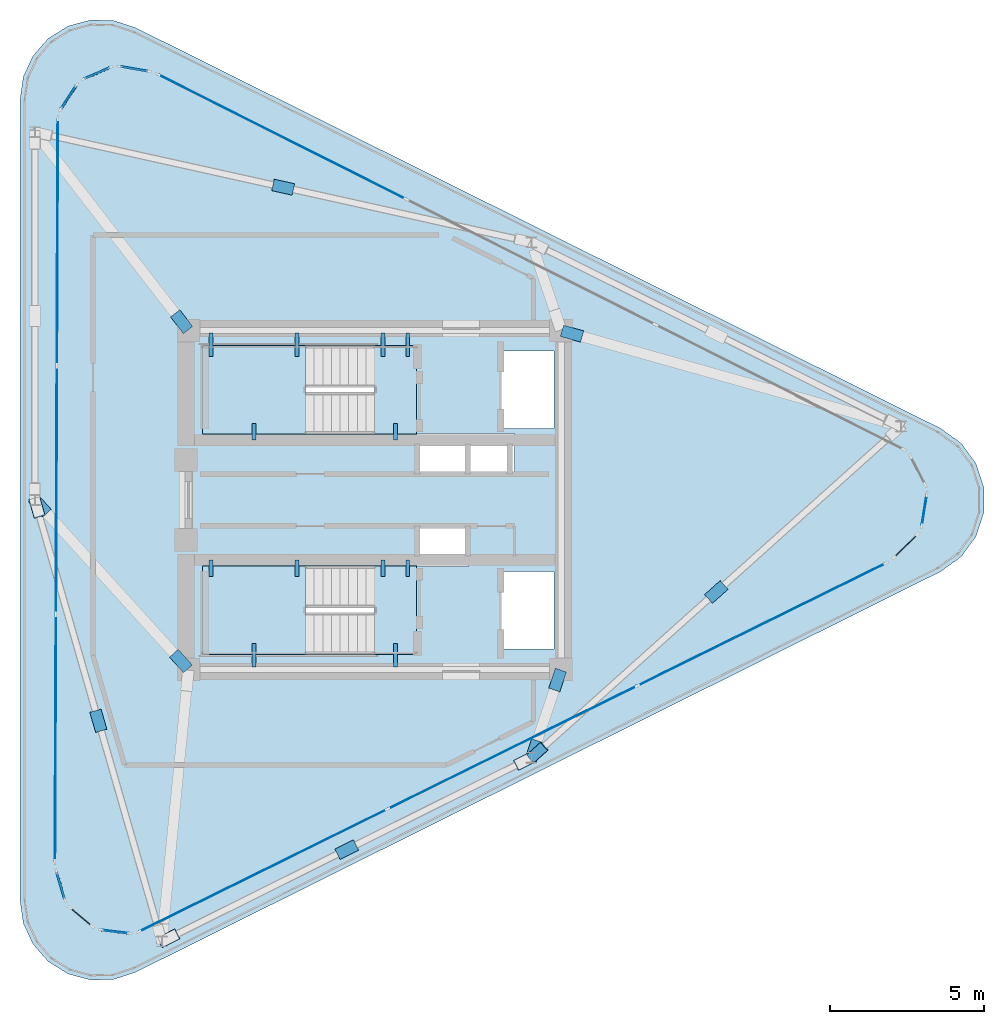
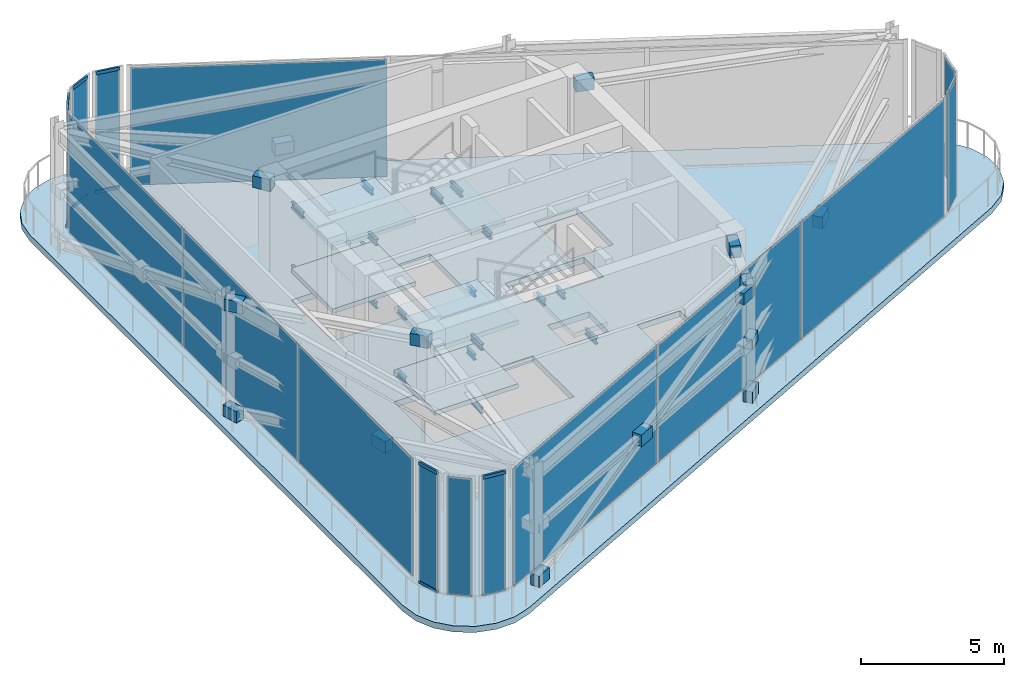
# One storey, part 3 of 9: 30 plates, 18 beams, 9 members, 7 slabs, 13 elements without a shape of their own.
"""IFC4 building model written with IfcOpenShell, lengths in metres."""

from ifc_helpers import new_model, si_unit, direction, frame, origin, origin_2d, place, context, subcontext, project, spatial, polyline, rectangle, i_section, outline, extrude, source, transform, mapped, material, layer, layer_set, material_profile, profile_set, type_object, element, aggregate, save


model = new_model("IFC4")

# Units and contexts
model_context = context("Model", 3, precision=1e-05, world=origin(), true_north=direction((0.0, 1.0)))
body_context = subcontext(model_context, "Body", "Model", "MODEL_VIEW")
ifc_project = project(units=[si_unit("LENGTHUNIT", "METRE"), si_unit("AREAUNIT", "SQUARE_METRE"), si_unit("VOLUMEUNIT", "CUBIC_METRE"), si_unit("PLANEANGLEUNIT", "RADIAN"), si_unit("MASSUNIT", "GRAM", prefix="KILO")], contexts=[model_context])

# Site, building, storey
site_placement = place(None, origin())
site = spatial("IfcSite", under=ifc_project, at=site_placement, CompositionType="ELEMENT")
building_placement = place(site_placement, origin())
building = spatial("IfcBuilding", under=site, at=building_placement, Name="Yunling Apex Tower", CompositionType="ELEMENT")
storey_placement = place(building_placement, frame((0.0, 0.0, 317.449951171875)))
storey = spatial("IfcBuildingStorey", under=building, at=storey_placement, Name="C01", CompositionType="ELEMENT", Elevation=317.449951171875)

# Beams
ifc_material_1 = material(Name="Steel Q355B", Category="steel")
ifc_material_profile_1 = material_profile(ifc_material_1, i_section(OverallWidth=0.125, OverallDepth=0.25, WebThickness=0.006103515625, FlangeThickness=0.009033203125, FilletRadius=0.011962890625, at=origin_2d()))
ifc_profile_set_1 = profile_set([ifc_material_profile_1], Name="Steel Q355B")
beam_type = type_object("IfcBeamType", Name="BL-LNT-1", PredefinedType="LINTEL", material=ifc_profile_set_1)
shared_shape_1 = source(origin(), body_context, "Body", "SweptSolid", [
    extrude(i_section(OverallWidth=0.125, OverallDepth=0.25, WebThickness=0.006103515625, FlangeThickness=0.009033203125, FilletRadius=0.011962890625, at=origin_2d()), origin(), (0.0, 0.0, 1.0), 0.760009765625),
])
for number, where, z_axis, x_axis, name in (
    (1, (-5.320068359375, 5.419921875, 1.030029296875), (0.0, -1.0, 0.0), (1.0, 0.0, 0.0), "C01 ST-1 Landing Bearing Corbel 1-1"),
    (2, (-2.530029296875, 5.419921875, 1.030029296875), (0.0, -1.0, 0.0), (1.0, 0.0, 0.0), "C01 ST-1 Landing Bearing Corbel 1-2"),
    (3, (0.27001953125, 5.419921875, 2.380126953125), (0.0, -1.0, 0.0), (1.0, 0.0, 0.0), "C01 ST-1 Landing Bearing Corbel 2-1"),
    (4, (1.070068359375, 5.419921875, 2.380126953125), (0.0, -1.0, 0.0), (1.0, 0.0, 0.0), "C01 ST-1 Landing Bearing Corbel 2-2"),
    (5, (-5.320068359375, 5.419921875, 3.72998046875), (0.0, -1.0, 0.0), (1.0, 0.0, 0.0), "C01 ST-1 Landing Bearing Corbel 3-1"),
    (6, (-2.530029296875, 5.419921875, 3.72998046875), (0.0, -1.0, 0.0), (1.0, 0.0, 0.0), "C01 ST-1 Landing Bearing Corbel 3-2"),
    (7, (-3.925048828125, -5.419921875, 1.030029296875), (0.0, 1.0, 0.0), (-1.0, 0.0, 0.0), "C01 ST-2 Landing Bearing Corbel 1-3"),
    (8, (0.669921875, -5.419921875, 2.380126953125), (0.0, 1.0, 0.0), (-1.0, 0.0, 0.0), "C01 ST-2 Landing Bearing Corbel 2-3"),
    (9, (-3.925048828125, -5.419921875, 3.72998046875), (0.0, 1.0, 0.0), (-1.0, 0.0, 0.0), "C01 ST-2 Landing Bearing Corbel 3-3"),
):
    element("IfcBeam", number, at=place(storey_placement, frame(where, z_axis=z_axis, x_axis=x_axis)), inside=storey, type_object=beam_type, Name=name, PredefinedType="LINTEL", context=body_context, shape_type="MappedRepresentation", body=[
        mapped(shared_shape_1, transform((0.0, 0.0, 0.0), scale=1.0)),
    ])
shared_shape_2 = source(origin(), body_context, "Body", "SweptSolid", [
    extrude(i_section(OverallWidth=0.125, OverallDepth=0.25, WebThickness=0.006103515625, FlangeThickness=0.009033203125, FilletRadius=0.011962890625, at=origin_2d()), origin(), (0.0, 0.0, 1.0), 0.550048828125),
])
for number, where, z_axis, x_axis, name in (
    (10, (-3.925048828125, 1.93994140625, 1.030029296875), (0.0, 1.0, 0.0), (-1.0, 0.0, 0.0), "C01 ST-1 Landing Bearing Corbel 1-3"),
    (11, (0.669921875, 1.93994140625, 2.380126953125), (0.0, 1.0, 0.0), (-1.0, 0.0, 0.0), "C01 ST-1 Landing Bearing Corbel 2-3"),
    (12, (-3.925048828125, 1.93994140625, 3.72998046875), (0.0, 1.0, 0.0), (-1.0, 0.0, 0.0), "C01 ST-1 Landing Bearing Corbel 3-3"),
    (13, (-5.320068359375, -1.93994140625, 1.030029296875), (0.0, -1.0, 0.0), (1.0, 0.0, 0.0), "C01 ST-2 Landing Bearing Corbel 1-1"),
    (14, (-2.530029296875, -1.93994140625, 1.030029296875), (0.0, -1.0, 0.0), (1.0, 0.0, 0.0), "C01 ST-2 Landing Bearing Corbel 1-2"),
    (15, (0.27001953125, -1.93994140625, 2.380126953125), (0.0, -1.0, 0.0), (1.0, 0.0, 0.0), "C01 ST-2 Landing Bearing Corbel 2-1"),
    (16, (1.070068359375, -1.93994140625, 2.380126953125), (0.0, -1.0, 0.0), (1.0, 0.0, 0.0), "C01 ST-2 Landing Bearing Corbel 2-2"),
    (17, (-5.320068359375, -1.93994140625, 3.72998046875), (0.0, -1.0, 0.0), (1.0, 0.0, 0.0), "C01 ST-2 Landing Bearing Corbel 3-1"),
    (18, (-2.530029296875, -1.93994140625, 3.72998046875), (0.0, -1.0, 0.0), (1.0, 0.0, 0.0), "C01 ST-2 Landing Bearing Corbel 3-2"),
):
    element("IfcBeam", number, at=place(storey_placement, frame(where, z_axis=z_axis, x_axis=x_axis)), inside=storey, type_object=beam_type, Name=name, PredefinedType="LINTEL", context=body_context, shape_type="MappedRepresentation", body=[
        mapped(shared_shape_2, transform((0.0, 0.0, 0.0), scale=1.0)),
    ])

# Curtain wall, members
ifc_material_2 = material(Name="Bronze anodised aluminium", Category="aluminium")
ifc_layer_1 = layer(ifc_material_2, 0.179931640625)
ifc_layer_set_1 = layer_set([ifc_layer_1], Name="Bronze anodised aluminium")
curtain_wall_type = type_object("IfcCurtainWallType", Name="CW-SYS-6", PredefinedType="NOTDEFINED", material=ifc_layer_set_1)
curtain_wall_1_placement = place(storey_placement, origin())
curtain_wall_1 = element("IfcCurtainWall", 19, at=curtain_wall_1_placement, inside=storey, type_object=curtain_wall_type, Name="CW-C01-02", PredefinedType="NOTDEFINED")
ifc_material_profile_2 = material_profile(ifc_material_2, rectangle(XDim=0.074951171875, YDim=0.139892578125, at=origin_2d()))
ifc_profile_set_2 = profile_set([ifc_material_profile_2], Name="Bronze anodised aluminium")
member_type = type_object("IfcMemberType", Name="CW-TRN-6", PredefinedType="USERDEFINED", material=ifc_profile_set_2)
shared_shape_3 = source(origin(), body_context, "Body", "SweptSolid", [
    extrude(rectangle(XDim=0.074951171875, YDim=0.139892578125, at=origin_2d()), origin(), (0.0, 0.0, 1.0), 0.8759765625),
])
member_1_placement = place(storey_placement, frame((-10.1826171875, 12.7138671875, 0.03759765625), z_axis=(0.548705136821, 0.836015952495, 0.0), x_axis=(-0.836015952495, 0.548705136821, 0.0)))
member_1 = element("IfcMember", 20, at=member_1_placement, type_object=member_type, Name="CW-SYS-6 transom 1.1", ObjectType="TRANSOM", PredefinedType="USERDEFINED", context=body_context, shape_type="MappedRepresentation", body=[
    mapped(shared_shape_3, transform((0.0, 0.0, 0.0), scale=1.0)),
])
member_2_placement = place(storey_placement, frame((-10.1826171875, 12.7138671875, 5.1025390625), z_axis=(0.548705136821, 0.836015952495, 0.0), x_axis=(-0.836015952495, 0.548705136821, 0.0)))
member_2 = element("IfcMember", 21, at=member_2_placement, type_object=member_type, Name="CW-SYS-6 transom 1.2", ObjectType="TRANSOM", PredefinedType="USERDEFINED", context=body_context, shape_type="MappedRepresentation", body=[
    mapped(shared_shape_3, transform((0.0, 0.0, 0.0), scale=1.0)),
])

curtain_wall_2_placement = place(storey_placement, origin())
curtain_wall_2 = element("IfcCurtainWall", 22, at=curtain_wall_2_placement, inside=storey, type_object=curtain_wall_type, Name="CW-C01-03", PredefinedType="NOTDEFINED")
member_3_placement = place(storey_placement, frame((-9.421630859375, 13.682373046875, 0.03759765625), z_axis=(0.917508167948, 0.397716936714, 0.0), x_axis=(-0.397716936714, 0.917508167948, 0.0)))
member_3 = element("IfcMember", 23, at=member_3_placement, type_object=member_type, Name="CW-SYS-6 transom 1.1", ObjectType="TRANSOM", PredefinedType="USERDEFINED", context=body_context, shape_type="MappedRepresentation", body=[
    mapped(shared_shape_3, transform((0.0, 0.0, 0.0), scale=1.0)),
])
member_4_placement = place(storey_placement, frame((-9.421630859375, 13.682373046875, 5.1025390625), z_axis=(0.917508167948, 0.397716936714, 0.0), x_axis=(-0.397716936714, 0.917508167948, 0.0)))
member_4 = element("IfcMember", 24, at=member_4_placement, type_object=member_type, Name="CW-SYS-6 transom 1.2", ObjectType="TRANSOM", PredefinedType="USERDEFINED", context=body_context, shape_type="MappedRepresentation", body=[
    mapped(shared_shape_3, transform((0.0, 0.0, 0.0), scale=1.0)),
])

# Curtain wall, member
curtain_wall_3_placement = place(storey_placement, origin())
curtain_wall_3 = element("IfcCurtainWall", 25, at=curtain_wall_3_placement, inside=storey, type_object=curtain_wall_type, Name="CW-C01-10", PredefinedType="NOTDEFINED")
member_5_placement = place(storey_placement, frame((-7.99658203125, -14.067626953125, 5.1025390625), z_axis=(-0.992928173873, 0.118716643859, 0.0), x_axis=(-0.118716643859, -0.992928173873, 0.0)))
member_5 = element("IfcMember", 26, at=member_5_placement, type_object=member_type, Name="CW-SYS-6 transom 1.2", ObjectType="TRANSOM", PredefinedType="USERDEFINED", context=body_context, shape_type="MappedRepresentation", body=[
    mapped(shared_shape_3, transform((0.0, 0.0, 0.0), scale=1.0)),
])

# Curtain wall, members
curtain_wall_4_placement = place(storey_placement, origin())
curtain_wall_4 = element("IfcCurtainWall", 27, at=curtain_wall_4_placement, inside=storey, type_object=curtain_wall_type, Name="CW-C01-04", PredefinedType="NOTDEFINED")
shared_shape_4 = source(origin(), body_context, "Body", "SweptSolid", [
    extrude(rectangle(XDim=0.074951171875, YDim=0.139892578125, at=origin_2d()), origin(), (0.0, 0.0, 1.0), 0.890380859375),
])
member_6_placement = place(storey_placement, frame((-8.25390625, 14.073974609375, 0.03759765625), z_axis=(0.985066523994, -0.172174165619, 0.0), x_axis=(0.172174165619, 0.985066523994, 0.0)))
member_6 = element("IfcMember", 28, at=member_6_placement, type_object=member_type, Name="CW-SYS-6 transom 1.1", ObjectType="TRANSOM", PredefinedType="USERDEFINED", context=body_context, shape_type="MappedRepresentation", body=[
    mapped(shared_shape_4, transform((0.0, 0.0, 0.0), scale=1.0)),
])
member_7_placement = place(storey_placement, frame((-8.25390625, 14.073974609375, 5.1025390625), z_axis=(0.985066523994, -0.172174165619, 0.0), x_axis=(0.172174165619, 0.985066523994, 0.0)))
member_7 = element("IfcMember", 29, at=member_7_placement, type_object=member_type, Name="CW-SYS-6 transom 1.2", ObjectType="TRANSOM", PredefinedType="USERDEFINED", context=body_context, shape_type="MappedRepresentation", body=[
    mapped(shared_shape_4, transform((0.0, 0.0, 0.0), scale=1.0)),
])

curtain_wall_5_placement = place(storey_placement, origin())
curtain_wall_5 = element("IfcCurtainWall", 30, at=curtain_wall_5_placement, inside=storey, type_object=curtain_wall_type, Name="CW-C01-12", PredefinedType="NOTDEFINED")
shared_shape_5 = source(origin(), body_context, "Body", "SweptSolid", [
    extrude(rectangle(XDim=0.074951171875, YDim=0.139892578125, at=origin_2d()), origin(), (0.0, 0.0, 1.0), 0.890625),
])
member_8_placement = place(storey_placement, frame((-10.07373046875, -12.947265625, 0.03759765625), z_axis=(-0.284554987042, 0.958659720313, 0.0), x_axis=(-0.958659720313, -0.284554987042, 0.0)))
member_8 = element("IfcMember", 31, at=member_8_placement, type_object=member_type, Name="CW-SYS-6 transom 1.1", ObjectType="TRANSOM", PredefinedType="USERDEFINED", context=body_context, shape_type="MappedRepresentation", body=[
    mapped(shared_shape_5, transform((0.0, 0.0, 0.0), scale=1.0)),
])
member_9_placement = place(storey_placement, frame((-10.07373046875, -12.947265625, 5.1025390625), z_axis=(-0.284554987042, 0.958659720313, 0.0), x_axis=(-0.958659720313, -0.284554987042, 0.0)))
member_9 = element("IfcMember", 32, at=member_9_placement, type_object=member_type, Name="CW-SYS-6 transom 1.2", ObjectType="TRANSOM", PredefinedType="USERDEFINED", context=body_context, shape_type="MappedRepresentation", body=[
    mapped(shared_shape_5, transform((0.0, 0.0, 0.0), scale=1.0)),
])

# Slab
ifc_material_3 = material(Name="Concrete C40", Category="concrete")
ifc_layer_2 = layer(ifc_material_3, 0.260009765625)
ifc_layer_set_2 = layer_set([ifc_layer_2], Name="Concrete C40")
slab_type_1 = type_object("IfcSlabType", Name="SL-CRN-1", PredefinedType="FLOOR", material=ifc_layer_set_2)
slab_1_placement = place(storey_placement, frame((0.0, 0.0, -0.260009765625)))
element("IfcSlab", 33, at=slab_1_placement, inside=storey, type_object=slab_type_1, Name="C01 Crown Plant & Maintenance Slab", PredefinedType="FLOOR", context=body_context, shape_type="SweptSolid", body=[
    extrude(outline(polyline([(-11.519287109375, -13.001708984375), (-11.410400390625, -13.74609375), (-11.093017578125, -14.42822265625), (-10.59375, -14.99072265625), (-9.9541015625, -15.386962890625), (-9.227783203125, -15.583251953125), (-8.475830078125, -15.563720703125), (-7.7607421875, -15.329345703125), (18.362060546875, -2.32763671875), (19.029541015625, -1.850830078125), (19.515380859375, -1.189697265625), (19.77099609375, -0.41015625), (19.77099609375, 0.41015625), (19.515380859375, 1.189697265625), (19.029541015625, 1.850830078125), (18.362060546875, 2.32763671875), (-7.7607421875, 15.329345703125), (-8.475830078125, 15.563720703125), (-9.227783203125, 15.583251953125), (-9.9541015625, 15.386962890625), (-10.59375, 14.99072265625), (-11.093017578125, 14.42822265625), (-11.410400390625, 13.74609375), (-11.519287109375, 13.001708984375), (-11.519287109375, -13.001708984375)]), holes=[polyline([(4.090087890625, 4.840087890625), (5.81005859375, 4.840087890625), (5.81005859375, 2.320068359375), (4.090087890625, 2.320068359375), (4.090087890625, 4.840087890625)]), polyline([(4.090087890625, -4.840087890625), (4.090087890625, -2.320068359375), (5.81005859375, -2.320068359375), (5.81005859375, -4.840087890625), (4.090087890625, -4.840087890625)]), polyline([(4.534912109375, 0.794921875), (1.364990234375, 0.794921875), (1.364990234375, 2.1650390625), (4.534912109375, 2.1650390625), (4.534912109375, 0.794921875)]), polyline([(1.364990234375, -0.794921875), (3.034912109375, -0.794921875), (3.034912109375, -2.1650390625), (1.364990234375, -2.1650390625), (1.364990234375, -0.794921875)]), polyline([(-0.010009765625, -5.010009765625), (-5.60009765625, -5.010009765625), (-5.60009765625, -2.139892578125), (-0.010009765625, -2.139892578125), (-0.010009765625, -5.010009765625)]), polyline([(-0.010009765625, 2.139892578125), (-5.60009765625, 2.139892578125), (-5.60009765625, 5.010009765625), (-0.010009765625, 5.010009765625), (-0.010009765625, 2.139892578125)])]), origin(), (0.0, 0.0, 1.0), 0.260009765625),
])

# Stair, slabs
stair_type = type_object("IfcStairType", Name="ST-TWR-1", PredefinedType="HALF_TURN_STAIR", material=ifc_material_3)
stair_1_placement = place(storey_placement, origin())
stair_1 = element("IfcStair", 34, at=stair_1_placement, inside=storey, type_object=stair_type, Name="C01 North Core Smokeproof Exit Stair ST-1", PredefinedType="HALF_TURN_STAIR")
ifc_layer_3 = layer(ifc_material_3, 0.195068359375)
ifc_layer_set_3 = layer_set([ifc_layer_3], Name="Concrete C40")
slab_type_2 = type_object("IfcSlabType", Name="SL-LND-1", PredefinedType="LANDING", material=ifc_layer_set_3)
slab_2_placement = place(storey_placement, frame((0.0, 0.0, 1.155029296875)))
slab_2 = element("IfcSlab", 35, at=slab_2_placement, type_object=slab_type_2, Name="ST-1 landing 1", PredefinedType="LANDING", context=body_context, shape_type="SweptSolid", body=[
    extrude(outline(polyline([(-2.25, 5.010009765625), (-5.60009765625, 5.010009765625), (-5.60009765625, 2.139892578125), (-2.25, 2.139892578125), (-2.25, 5.010009765625)])), origin(), (0.0, 0.0, 1.0), 0.195068359375),
])
slab_3_placement = place(storey_placement, frame((0.0, 0.0, 2.505126953125)))
slab_3 = element("IfcSlab", 36, at=slab_3_placement, type_object=slab_type_2, Name="ST-1 landing 2", PredefinedType="LANDING", context=body_context, shape_type="SweptSolid", body=[
    extrude(outline(polyline([(1.35009765625, 5.010009765625), (-0.010009765625, 5.010009765625), (-0.010009765625, 2.139892578125), (1.35009765625, 2.139892578125), (1.35009765625, 5.010009765625)])), origin(), (0.0, 0.0, 1.0), 0.19482421875),
])
slab_4_placement = place(storey_placement, frame((0.0, 0.0, 3.85498046875)))
slab_4 = element("IfcSlab", 37, at=slab_4_placement, type_object=slab_type_2, Name="ST-1 landing 3", PredefinedType="LANDING", context=body_context, shape_type="SweptSolid", body=[
    extrude(outline(polyline([(-2.25, 5.010009765625), (-5.60009765625, 5.010009765625), (-5.60009765625, 2.139892578125), (-2.25, 2.139892578125), (-2.25, 5.010009765625)])), origin(), (0.0, 0.0, 1.0), 0.195068359375),
])
aggregate(stair_1, [slab_2, slab_3, slab_4])

stair_2_placement = place(storey_placement, origin())
stair_2 = element("IfcStair", 38, at=stair_2_placement, inside=storey, type_object=stair_type, Name="C01 South Core Smokeproof Exit Stair ST-2", PredefinedType="HALF_TURN_STAIR")
slab_5_placement = place(storey_placement, frame((0.0, 0.0, 1.155029296875)))
slab_5 = element("IfcSlab", 39, at=slab_5_placement, type_object=slab_type_2, Name="ST-2 landing 1", PredefinedType="LANDING", context=body_context, shape_type="SweptSolid", body=[
    extrude(outline(polyline([(-2.25, -2.139892578125), (-5.60009765625, -2.139892578125), (-5.60009765625, -5.010009765625), (-2.25, -5.010009765625), (-2.25, -2.139892578125)])), origin(), (0.0, 0.0, 1.0), 0.195068359375),
])
slab_6_placement = place(storey_placement, frame((0.0, 0.0, 2.505126953125)))
slab_6 = element("IfcSlab", 40, at=slab_6_placement, type_object=slab_type_2, Name="ST-2 landing 2", PredefinedType="LANDING", context=body_context, shape_type="SweptSolid", body=[
    extrude(outline(polyline([(1.35009765625, -2.139892578125), (-0.010009765625, -2.139892578125), (-0.010009765625, -5.010009765625), (1.35009765625, -5.010009765625), (1.35009765625, -2.139892578125)])), origin(), (0.0, 0.0, 1.0), 0.19482421875),
])
slab_7_placement = place(storey_placement, frame((0.0, 0.0, 3.85498046875)))
slab_7 = element("IfcSlab", 41, at=slab_7_placement, type_object=slab_type_2, Name="ST-2 landing 3", PredefinedType="LANDING", context=body_context, shape_type="SweptSolid", body=[
    extrude(outline(polyline([(-2.25, -2.139892578125), (-5.60009765625, -2.139892578125), (-5.60009765625, -5.010009765625), (-2.25, -5.010009765625), (-2.25, -2.139892578125)])), origin(), (0.0, 0.0, 1.0), 0.195068359375),
])
aggregate(stair_2, [slab_5, slab_6, slab_7])

# Plates
ifc_layer_4 = layer(ifc_material_1, 0.031982421875)
ifc_layer_set_4 = layer_set([ifc_layer_4], Name="Steel Q355B")
plate_type_1 = type_object("IfcPlateType", Name="NP-GUS-2", PredefinedType="USERDEFINED", material=ifc_layer_set_4)
shared_shape_6 = source(origin(), body_context, "Body", "SweptSolid", [
    extrude(rectangle(XDim=0.64990234375, YDim=0.360107421875, at=origin_2d()), origin(), (0.0, 0.0, 1.0), 0.47998046875),
])
for number, where, z_axis, x_axis, name in (
    (42, (-6.697509765625, -14.22900390625, 0.06005859375), (0.0, 0.0, 1.0), (0.895245648325, 0.445572922377, 0.0), "C01 Crown Rafter Foot Gusset Plate 344"),
    (43, (4.86962890625, -8.471923828125, 4.550048828125), (0.0, 0.0, 1.0), (0.895245648325, 0.445572922377, 0.0), "C01 Crown Rafter Head Gusset Plate 345"),
    (44, (5.2666015625, -8.20263671875, 0.06005859375), (0.0, 0.0, 1.0), (0.744661120495, 0.66744274333, 0.0), "C01 Crown Rafter Foot Gusset Plate 351"),
    (45, (-10.970458984375, -0.232666015625, 0.06005859375), (0.0, 0.0, 1.0), (0.276476109834, -0.961020790978, 0.0), "C01 Crown Rafter Foot Gusset Plate 377"),
):
    element("IfcPlate", number, at=place(storey_placement, frame(where, z_axis=z_axis, x_axis=x_axis)), inside=storey, type_object=plate_type_1, Name=name, ObjectType="GUSSET_PLATE", PredefinedType="USERDEFINED", context=body_context, shape_type="MappedRepresentation", body=[
        mapped(shared_shape_6, transform((0.0, 0.0, 0.0), scale=1.0)),
    ])
shared_shape_7 = source(origin(), body_context, "Body", "SweptSolid", [
    extrude(rectangle(XDim=0.679931640625, YDim=0.3798828125, at=origin_2d()), origin(), (0.0, 0.0, 1.0), 0.5),
])
for number, where, z_axis, x_axis, name in (
    (46, (-0.913818359375, -11.350341796875, 2.295166015625), (0.0, 0.0, 1.0), (0.895245648325, 0.445572922377, 0.0), "C01 Crown Rafter-Purlin Midpoint Gusset Plate 346"),
    (47, (11.08642578125, -2.986328125, 2.295166015625), (0.0, 0.0, 1.0), (0.744661120495, 0.66744274333, 0.0), "C01 Crown Rafter-Purlin Midpoint Gusset Plate 353"),
    (48, (5.93359375, -5.845947265625, 4.590087890625), (0.0, 0.0, 1.0), (-0.318959309298, -0.94776841001, 0.0), "C01 Crown Tie Strut Core Gusset Plate 356"),
    (49, (5.16357421875, -8.134765625, 4.590087890625), (0.0, 0.0, 1.0), (-0.318959309298, -0.94776841001, 0.0), "C01 Crown Tie Strut Perimeter Gusset Plate 357"),
    (50, (6.4013671875, 5.40087890625, 4.590087890625), (0.0, 0.0, 1.0), (0.962549928407, -0.271104473079, 0.0), "C01 Crown Tie Strut Core Gusset Plate 363"),
    (51, (-2.9755859375, 10.15478515625, 2.295166015625), (0.0, 0.0, 1.0), (-0.976220395964, 0.216780392341, 0.0), "C01 Crown Rafter-Purlin Midpoint Gusset Plate 367"),
    (52, (-6.2734375, 5.788818359375, 4.590087890625), (0.0, 0.0, 1.0), (-0.611941240013, 0.790903229713, 0.0), "C01 Crown Tie Strut Core Gusset Plate 376"),
    (53, (-8.9755859375, -7.16845703125, 2.295166015625), (0.0, 0.0, 1.0), (0.276476109834, -0.961020790978, 0.0), "C01 Crown Rafter-Purlin Midpoint Gusset Plate 378"),
    (54, (-6.295166015625, -5.2294921875, 4.590087890625), (0.0, 0.0, 1.0), (-0.671720589323, 0.740804596287, 0.0), "C01 Crown Tie Strut Core Gusset Plate 381"),
    (55, (-10.874755859375, -0.17919921875, 4.590087890625), (0.0, 0.0, 1.0), (-0.671720589323, 0.740804596287, 0.0), "C01 Crown Tie Strut Perimeter Gusset Plate 382"),
):
    element("IfcPlate", number, at=place(storey_placement, frame(where, z_axis=z_axis, x_axis=x_axis)), inside=storey, type_object=plate_type_1, Name=name, ObjectType="GUSSET_PLATE", PredefinedType="USERDEFINED", context=body_context, shape_type="MappedRepresentation", body=[
        mapped(shared_shape_7, transform((0.0, 0.0, 0.0), scale=1.0)),
    ])
shared_shape_8 = source(origin(), body_context, "Body", "SweptSolid", [
    extrude(rectangle(XDim=0.60009765625, YDim=0.340087890625, at=origin_2d()), origin(), (0.0, 0.0, 1.0), 0.43994140625),
])
plate_1_placement = place(storey_placement, frame((5.2666015625, -8.20263671875, 2.3251953125), z_axis=(0.0, 0.0, 1.0), x_axis=(0.744661120495, 0.66744274333, 0.0)))
element("IfcPlate", 56, at=plate_1_placement, inside=storey, type_object=plate_type_1, Name="C01 Crown Purlin Column Gusset Plate 354", ObjectType="GUSSET_PLATE", PredefinedType="USERDEFINED", context=body_context, shape_type="MappedRepresentation", body=[
    mapped(shared_shape_8, transform((0.0, 0.0, 0.0), scale=1.0)),
])

# Curtain wall, plates
curtain_wall_6_placement = place(storey_placement, origin())
curtain_wall_6 = element("IfcCurtainWall", 57, at=curtain_wall_6_placement, inside=storey, type_object=curtain_wall_type, Name="CW-C01-01", PredefinedType="NOTDEFINED")
ifc_material_4 = material(Name="Bronze fritted laminated crown glass", Category="glass")
ifc_layer_5 = layer(ifc_material_4, 0.02587890625)
ifc_layer_set_5 = layer_set([ifc_layer_5], Name="Bronze fritted laminated crown glass")
plate_type_2 = type_object("IfcPlateType", Name="CW-PNL-6", PredefinedType="CURTAIN_PANEL", material=ifc_layer_set_5)
shared_shape_9 = source(origin(), body_context, "Body", "SweptSolid", [
    extrude(rectangle(XDim=7.977783203125, YDim=0.02587890625, at=origin_2d()), origin(), (0.0, 0.0, 1.0), 5.005615234375),
])
plate_2_placement = place(storey_placement, frame((-10.365478515625, -7.734130859375, 0.0673828125), z_axis=(0.0, 0.0, 1.0), x_axis=(0.003847395568, 0.999992598746, 0.0)))
plate_2 = element("IfcPlate", 58, at=plate_2_placement, type_object=plate_type_2, Name="CW-SYS-6 panel 1.1", PredefinedType="CURTAIN_PANEL", context=body_context, shape_type="MappedRepresentation", body=[
    mapped(shared_shape_9, transform((0.0, 0.0, 0.0), scale=1.0)),
])
plate_3_placement = place(storey_placement, frame((-10.3037109375, 8.3779296875, 0.0673828125), z_axis=(0.0, 0.0, 1.0), x_axis=(0.003847395568, 0.999992598746, 0.0)))
plate_3 = element("IfcPlate", 59, at=plate_3_placement, type_object=plate_type_2, Name="CW-SYS-6 panel 3.1", PredefinedType="CURTAIN_PANEL", context=body_context, shape_type="MappedRepresentation", body=[
    mapped(shared_shape_9, transform((0.0, 0.0, 0.0), scale=1.0)),
])
shared_shape_10 = source(origin(), body_context, "Body", "SweptSolid", [
    extrude(rectangle(XDim=8.01513671875, YDim=0.02587890625, at=origin_2d()), origin(), (0.0, 0.0, 1.0), 5.005615234375),
])
plate_4_placement = place(storey_placement, frame((-10.334716796875, 0.322021484375, 0.0673828125), z_axis=(0.0, 0.0, 1.0), x_axis=(0.003847395568, 0.999992598746, 0.0)))
plate_4 = element("IfcPlate", 60, at=plate_4_placement, type_object=plate_type_2, Name="CW-SYS-6 panel 2.1", PredefinedType="CURTAIN_PANEL", context=body_context, shape_type="MappedRepresentation", body=[
    mapped(shared_shape_10, transform((0.0, 0.0, 0.0), scale=1.0)),
])
aggregate(curtain_wall_6, [plate_2, plate_4, plate_3])

# Plate
shared_shape_11 = source(origin(), body_context, "Body", "SweptSolid", [
    extrude(rectangle(XDim=0.884033203125, YDim=0.02587890625, at=origin_2d()), origin(), (0.0, 0.0, 1.0), 5.005615234375),
])
plate_5_placement = place(storey_placement, frame((-9.9423828125, 13.080078125, 0.0673828125), z_axis=(0.0, 0.0, 1.0), x_axis=(0.548658586145, 0.836046503401, 0.0)))
plate_5 = element("IfcPlate", 61, at=plate_5_placement, type_object=plate_type_2, Name="CW-SYS-6 panel 1.1", PredefinedType="CURTAIN_PANEL", context=body_context, shape_type="MappedRepresentation", body=[
    mapped(shared_shape_11, transform((0.0, 0.0, 0.0), scale=1.0)),
])

aggregate(curtain_wall_1, [member_1, member_2, plate_5])

plate_6_placement = place(storey_placement, frame((-9.019775390625, 13.8564453125, 0.0673828125), z_axis=(0.0, 0.0, 1.0), x_axis=(0.917414677596, 0.397932543694, 0.0)))
plate_6 = element("IfcPlate", 62, at=plate_6_placement, type_object=plate_type_2, Name="CW-SYS-6 panel 1.1", PredefinedType="CURTAIN_PANEL", context=body_context, shape_type="MappedRepresentation", body=[
    mapped(shared_shape_11, transform((0.0, 0.0, 0.0), scale=1.0)),
])

aggregate(curtain_wall_2, [member_3, member_4, plate_6])

plate_7_placement = place(storey_placement, frame((-8.431396484375, -14.015625, 0.0673828125), z_axis=(0.0, 0.0, 1.0), x_axis=(-0.992931086988, 0.118692276469, 0.0)))
plate_7 = element("IfcPlate", 63, at=plate_7_placement, type_object=plate_type_2, Name="CW-SYS-6 panel 1.1", PredefinedType="CURTAIN_PANEL", context=body_context, shape_type="MappedRepresentation", body=[
    mapped(shared_shape_11, transform((0.0, 0.0, 0.0), scale=1.0)),
])

aggregate(curtain_wall_3, [member_5, plate_7])

# Curtain wall, plate
curtain_wall_7_placement = place(storey_placement, origin())
curtain_wall_7 = element("IfcCurtainWall", 64, at=curtain_wall_7_placement, inside=storey, type_object=curtain_wall_type, Name="CW-C01-11", PredefinedType="NOTDEFINED")
plate_8_placement = place(storey_placement, frame((-9.537841796875, -13.53564453125, 0.0673828125), z_axis=(0.0, 0.0, 1.0), x_axis=(-0.765041032224, 0.643981536236, 0.0)))
plate_8 = element("IfcPlate", 65, at=plate_8_placement, type_object=plate_type_2, Name="CW-SYS-6 panel 1.1", PredefinedType="CURTAIN_PANEL", context=body_context, shape_type="MappedRepresentation", body=[
    mapped(shared_shape_11, transform((0.0, 0.0, 0.0), scale=1.0)),
])
aggregate(curtain_wall_7, [plate_8])

# Plate
shared_shape_12 = source(origin(), body_context, "Body", "SweptSolid", [
    extrude(rectangle(XDim=0.8984375, YDim=0.02587890625, at=origin_2d()), origin(), (0.0, 0.0, 1.0), 5.005615234375),
])
plate_9_placement = place(storey_placement, frame((-7.8154296875, 13.997314453125, 0.0673828125), z_axis=(0.0, 0.0, 1.0), x_axis=(0.985043613683, -0.172305191862, 0.0)))
plate_9 = element("IfcPlate", 66, at=plate_9_placement, type_object=plate_type_2, Name="CW-SYS-6 panel 1.1", PredefinedType="CURTAIN_PANEL", context=body_context, shape_type="MappedRepresentation", body=[
    mapped(shared_shape_12, transform((0.0, 0.0, 0.0), scale=1.0)),
])

aggregate(curtain_wall_4, [member_6, member_7, plate_9])

# Curtain wall, plate
curtain_wall_8_placement = place(storey_placement, origin())
curtain_wall_8 = element("IfcCurtainWall", 67, at=curtain_wall_8_placement, inside=storey, type_object=curtain_wall_type, Name="CW-C01-05", PredefinedType="NOTDEFINED")
shared_shape_13 = source(origin(), body_context, "Body", "SweptSolid", [
    extrude(rectangle(XDim=8.96728515625, YDim=0.02587890625, at=origin_2d()), origin(), (0.0, 0.0, 1.0), 5.005615234375),
])
plate_10_placement = place(storey_placement, frame((-3.015380859375, 11.789306640625, 0.0673828125), z_axis=(0.0, 0.0, 1.0), x_axis=(0.893417296148, -0.449227709457, 0.0)))
plate_10 = element("IfcPlate", 68, at=plate_10_placement, type_object=plate_type_2, Name="CW-SYS-6 panel 1.1", PredefinedType="CURTAIN_PANEL", context=body_context, shape_type="MappedRepresentation", body=[
    mapped(shared_shape_13, transform((0.0, 0.0, 0.0), scale=1.0)),
])
aggregate(curtain_wall_8, [plate_10])

curtain_wall_9_placement = place(storey_placement, origin())
curtain_wall_9 = element("IfcCurtainWall", 69, at=curtain_wall_9_placement, inside=storey, type_object=curtain_wall_type, Name="CW-C01-07", PredefinedType="NOTDEFINED")
shared_shape_14 = source(origin(), body_context, "Body", "SweptSolid", [
    extrude(rectangle(XDim=0.994873046875, YDim=0.02587890625, at=origin_2d()), origin(), (0.0, 0.0, 1.0), 5.005615234375),
])
plate_11_placement = place(storey_placement, frame((17.839111328125, -0.329345703125, 0.0673828125), z_axis=(0.0, 0.0, 1.0), x_axis=(-0.157790197232, -0.987472659701, 0.0)))
plate_11 = element("IfcPlate", 70, at=plate_11_placement, type_object=plate_type_2, Name="CW-SYS-6 panel 1.1", PredefinedType="CURTAIN_PANEL", context=body_context, shape_type="MappedRepresentation", body=[
    mapped(shared_shape_14, transform((0.0, 0.0, 0.0), scale=1.0)),
])
aggregate(curtain_wall_9, [plate_11])

curtain_wall_10_placement = place(storey_placement, origin())
curtain_wall_10 = element("IfcCurtainWall", 71, at=curtain_wall_10_placement, inside=storey, type_object=curtain_wall_type, Name="CW-C01-08", PredefinedType="NOTDEFINED")
shared_shape_15 = source(origin(), body_context, "Body", "SweptSolid", [
    extrude(rectangle(XDim=1.0107421875, YDim=0.02587890625, at=origin_2d()), origin(), (0.0, 0.0, 1.0), 5.005615234375),
])
plate_12_placement = place(storey_placement, frame((17.237060546875, -1.490966796875, 0.0673828125), z_axis=(0.0, 0.0, 1.0), x_axis=(-0.713105885416, -0.701056343088, 0.0)))
plate_12 = element("IfcPlate", 72, at=plate_12_placement, type_object=plate_type_2, Name="CW-SYS-6 panel 1.1", PredefinedType="CURTAIN_PANEL", context=body_context, shape_type="MappedRepresentation", body=[
    mapped(shared_shape_15, transform((0.0, 0.0, 0.0), scale=1.0)),
])
aggregate(curtain_wall_10, [plate_12])

# Curtain wall, plates
curtain_wall_11_placement = place(storey_placement, origin())
curtain_wall_11 = element("IfcCurtainWall", 73, at=curtain_wall_11_placement, inside=storey, type_object=curtain_wall_type, Name="CW-C01-09", PredefinedType="NOTDEFINED")
shared_shape_16 = source(origin(), body_context, "Body", "SweptSolid", [
    extrude(rectangle(XDim=8.9482421875, YDim=0.02587890625, at=origin_2d()), origin(), (0.0, 0.0, 1.0), 5.005615234375),
])
plate_13_placement = place(storey_placement, frame((12.56298828125, -4.039306640625, 0.0673828125), z_axis=(0.0, 0.0, 1.0), x_axis=(-0.896770341686, -0.442496275998, 0.0)))
plate_13 = element("IfcPlate", 74, at=plate_13_placement, type_object=plate_type_2, Name="CW-SYS-6 panel 1.1", PredefinedType="CURTAIN_PANEL", context=body_context, shape_type="MappedRepresentation", body=[
    mapped(shared_shape_16, transform((0.0, 0.0, 0.0), scale=1.0)),
])
plate_14_placement = place(storey_placement, frame((-3.62646484375, -12.027587890625, 0.0673828125), z_axis=(0.0, 0.0, 1.0), x_axis=(-0.896770341686, -0.442496275998, 0.0)))
plate_14 = element("IfcPlate", 75, at=plate_14_placement, type_object=plate_type_2, Name="CW-SYS-6 panel 3.1", PredefinedType="CURTAIN_PANEL", context=body_context, shape_type="MappedRepresentation", body=[
    mapped(shared_shape_16, transform((0.0, 0.0, 0.0), scale=1.0)),
])
shared_shape_17 = source(origin(), body_context, "Body", "SweptSolid", [
    extrude(rectangle(XDim=8.98583984375, YDim=0.02587890625, at=origin_2d()), origin(), (0.0, 0.0, 1.0), 5.005615234375),
])
plate_15_placement = place(storey_placement, frame((4.46826171875, -8.033447265625, 0.0673828125), z_axis=(0.0, 0.0, 1.0), x_axis=(-0.896770341686, -0.442496275998, 0.0)))
plate_15 = element("IfcPlate", 76, at=plate_15_placement, type_object=plate_type_2, Name="CW-SYS-6 panel 2.1", PredefinedType="CURTAIN_PANEL", context=body_context, shape_type="MappedRepresentation", body=[
    mapped(shared_shape_17, transform((0.0, 0.0, 0.0), scale=1.0)),
])
aggregate(curtain_wall_11, [plate_13, plate_15, plate_14])

# Plate
shared_shape_18 = source(origin(), body_context, "Body", "SweptSolid", [
    extrude(rectangle(XDim=0.898681640625, YDim=0.02587890625, at=origin_2d()), origin(), (0.0, 0.0, 1.0), 5.005615234375),
])
plate_16_placement = place(storey_placement, frame((-10.200439453125, -12.520263671875, 0.0673828125), z_axis=(0.0, 0.0, 1.0), x_axis=(-0.284665001836, 0.958627058209, 0.0)))
plate_16 = element("IfcPlate", 77, at=plate_16_placement, type_object=plate_type_2, Name="CW-SYS-6 panel 1.1", PredefinedType="CURTAIN_PANEL", context=body_context, shape_type="MappedRepresentation", body=[
    mapped(shared_shape_18, transform((0.0, 0.0, 0.0), scale=1.0)),
])

aggregate(curtain_wall_5, [member_8, member_9, plate_16])

save(model, "model.ifc")
